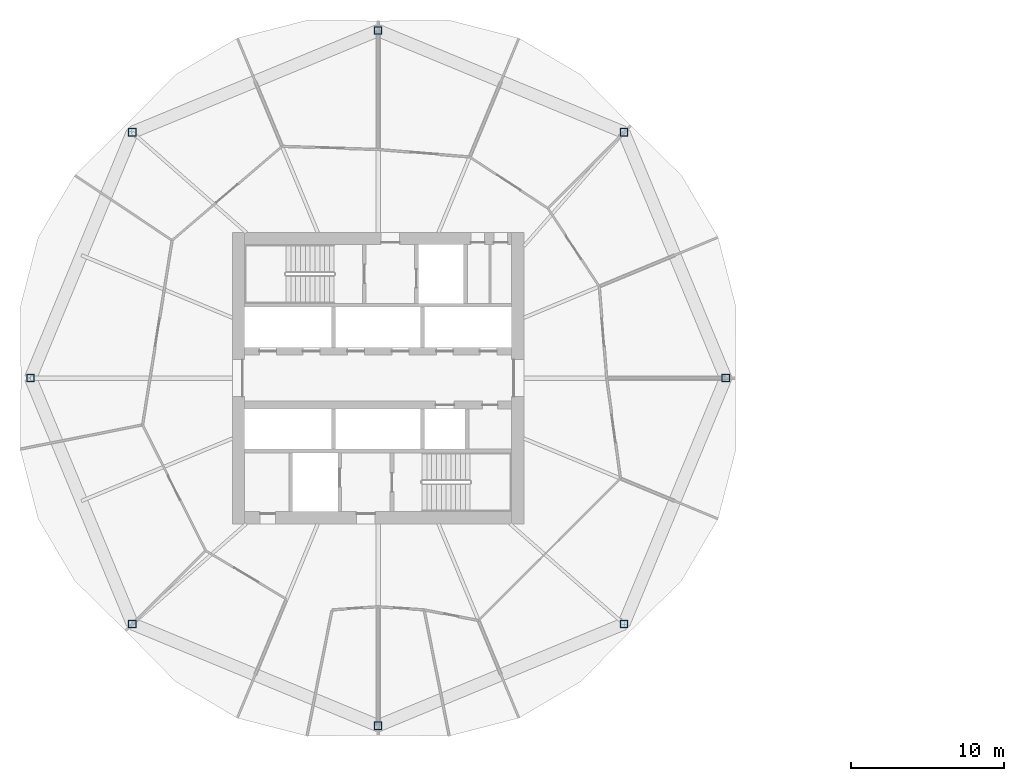
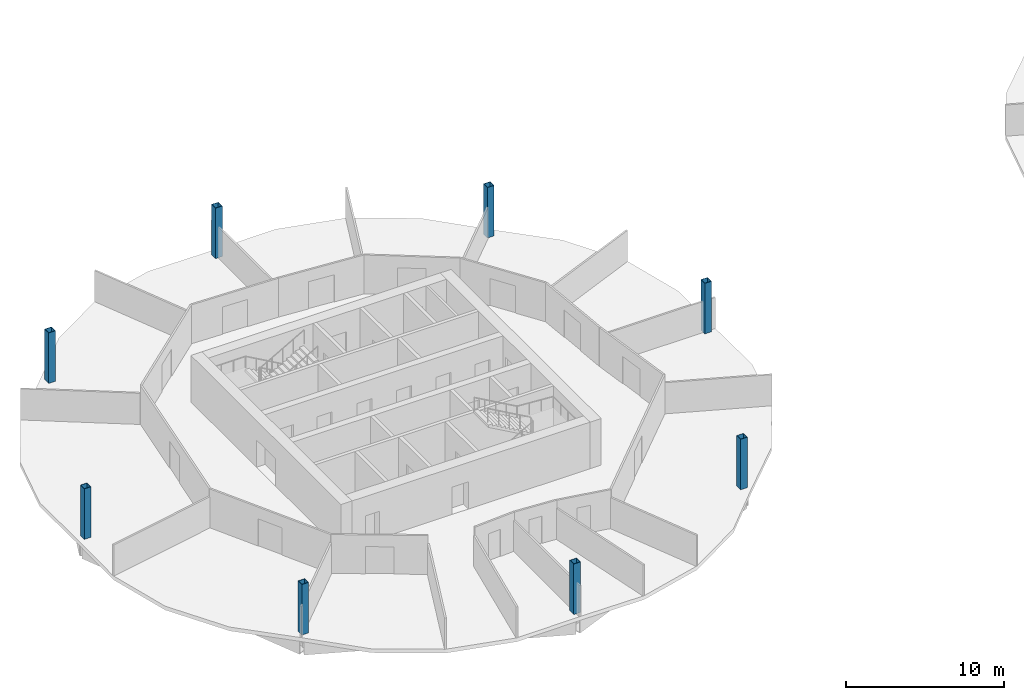
# One storey, part 1 of 9: 8 columns.
"""IFC4 building model written with IfcOpenShell, lengths in metres."""

from ifc_helpers import new_model, si_unit, direction, frame, origin, origin_2d, place, context, subcontext, project, spatial, hollow_rectangle, extrude, material, material_profile, profile_set, type_object, element, save


model = new_model("IFC4")

# Units and contexts
model_context = context("Model", 3, precision=1e-05, world=origin(), true_north=direction((0.0, 1.0)))
body_context = subcontext(model_context, "Body", "Model", "MODEL_VIEW")
ifc_project = project(units=[si_unit("LENGTHUNIT", "METRE"), si_unit("AREAUNIT", "SQUARE_METRE"), si_unit("VOLUMEUNIT", "CUBIC_METRE"), si_unit("PLANEANGLEUNIT", "RADIAN"), si_unit("MASSUNIT", "GRAM", prefix="KILO")], contexts=[model_context])

# Site, building, storey
site_placement = place(None, origin())
site = spatial("IfcSite", under=ifc_project, at=site_placement, CompositionType="ELEMENT")
building_placement = place(site_placement, origin())
building = spatial("IfcBuilding", under=site, at=building_placement, Name="Ogive Gate Towers", CompositionType="ELEMENT")
storey_placement = place(building_placement, frame((0.0, 0.0, 84.0)))
storey = spatial("IfcBuildingStorey", under=building, at=storey_placement, Name="L19", CompositionType="ELEMENT", Elevation=84.0)

# Columns
ifc_material = material(Name="Steel SM460", Category="steel")
ifc_material_profile = material_profile(ifc_material, hollow_rectangle(XDim=0.5, YDim=0.5, WallThickness=0.030029296875, at=origin_2d()), Name="BX 500x500x30")
ifc_profile_set = profile_set([ifc_material_profile], Name="Steel SM460")
column_type = type_object("IfcColumnType", Name="Perimeter post BX 500x500x30", PredefinedType="COLUMN", material=ifc_profile_set)
for number, where, z_axis, x_axis, name in (
    (1, (-13.330078125, 0.0, 0.0), (0.0, 0.0, 1.0), (1.0, 0.0, 0.0), "T1/L19/SCL001"),
    (2, (-19.969970703125, 16.030029296875, 0.0), (0.0, 0.0, 1.0), (1.0, 0.0, 0.0), "T1/L19/SCL002"),
    (3, (-36.0, 22.669921875, 0.0), (0.0, 0.0, 1.0), (1.0, 0.0, 0.0), "T1/L19/SCL003"),
    (4, (-52.030029296875, 16.030029296875, 0.0), (0.0, 0.0, 1.0), (1.0, 0.0, 0.0), "T1/L19/SCL004"),
    (5, (-58.669921875, 0.0, 0.0), (0.0, 0.0, 1.0), (1.0, 0.0, 0.0), "T1/L19/SCL005"),
    (6, (-52.030029296875, -16.030029296875, 0.0), (0.0, 0.0, 1.0), (1.0, 0.0, 0.0), "T1/L19/SCL006"),
    (7, (-36.0, -22.669921875, 0.0), (0.0, 0.0, 1.0), (1.0, 0.0, 0.0), "T1/L19/SCL007"),
    (8, (-19.969970703125, -16.030029296875, 0.0), (0.0, 0.0, 1.0), (1.0, 0.0, 0.0), "T1/L19/SCL008"),
):
    element("IfcColumn", number, at=place(storey_placement, frame(where, z_axis=z_axis, x_axis=x_axis)), inside=storey, type_object=column_type, Name=name, PredefinedType="COLUMN", context=body_context, shape_type="SweptSolid", body=[
        extrude(hollow_rectangle(XDim=0.5, YDim=0.5, WallThickness=0.030029296875, at=origin_2d()), origin(), (0.0, 0.0, 1.0), 3.89990234375),
    ])

save(model, "model.ifc")
